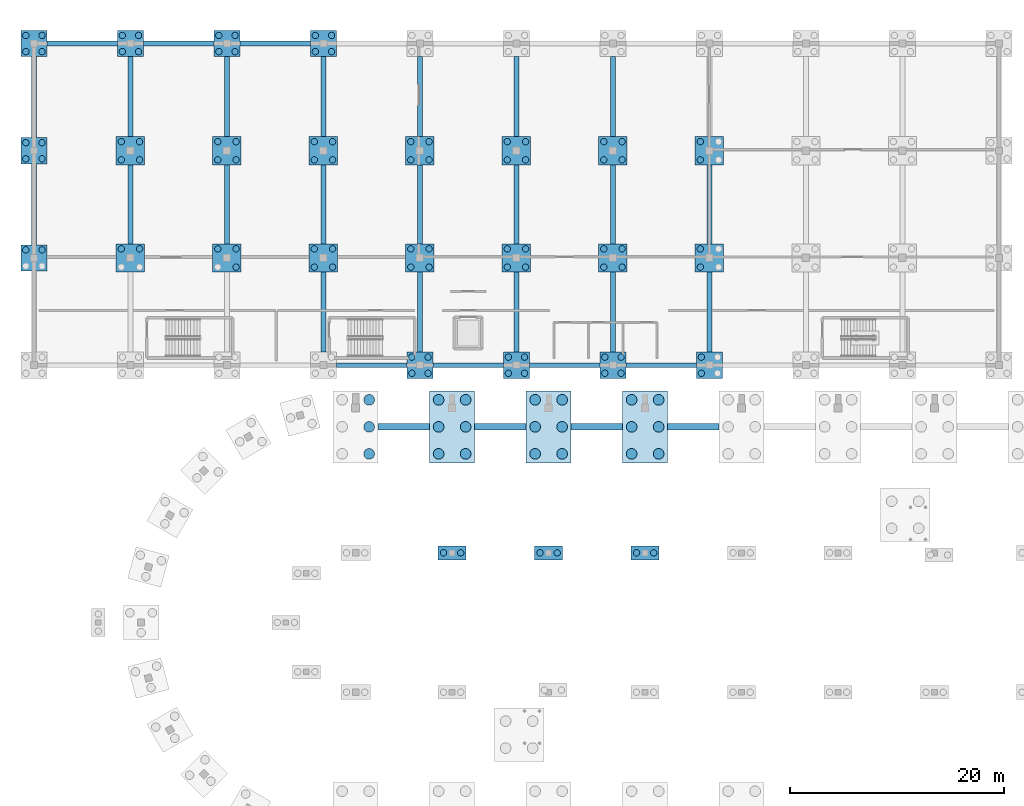
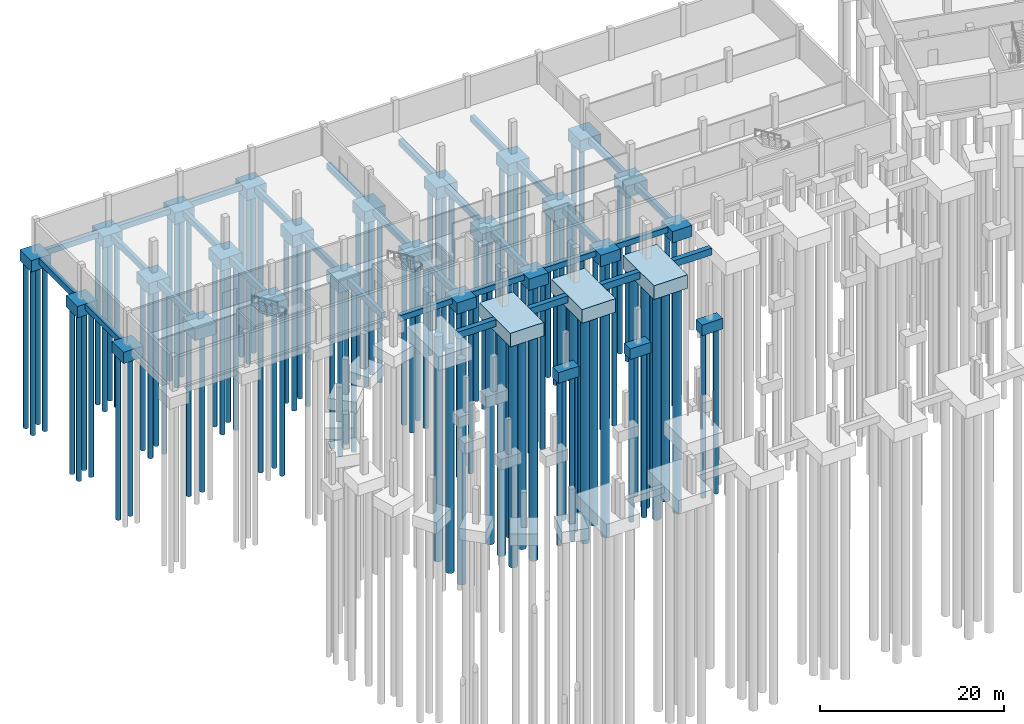
# One storey, part 3 of 36: 112 piles, 61 footings.
"""IFC4 building model written with IfcOpenShell, lengths in metres."""

import ifcopenshell
import ifcopenshell.guid

model = None  # the IFC model being written
_history = None  # IfcOwnerHistory: only IFC2X3 demands one
_inside = {}  # id of a spatial element -> (the spatial element, [elements in it])
_under = {}  # id of a project, library or spatial element -> (it, [spatial elements below it])
_declared = {}  # id of a project -> (the project, [libraries it declares])
_typed = {}  # id of a type object -> (the type object, [elements of that type])
_made_of = {}  # id of a material, layer set ... -> (it, [elements and type objects made of it])


def new_model(schema):
    """Start an empty IFC model of exactly this schema.

    Asked for "IFC4X3", IfcOpenShell would pick the latest addendum, in which some entities
    have other attributes; the version numbers below select the first issue.
    IFC2X3 requires an IfcOwnerHistory on every rooted entity: one is made here for all.
    """
    global model, _history
    if schema == "IFC4X3":
        model = ifcopenshell.file(schema_version=(4, 3, 0, 0))
    else:
        model = ifcopenshell.file(schema=schema)
    _inside.clear()
    _under.clear()
    _declared.clear()
    _typed.clear()
    _made_of.clear()
    _history = None
    if model.schema == "IFC2X3":
        org = make("IfcOrganization", Name="unknown")
        user = make(
            "IfcPersonAndOrganization",
            ThePerson=make("IfcPerson", FamilyName="unknown"),
            TheOrganization=org,
        )
        app = make(
            "IfcApplication",
            ApplicationDeveloper=org,
            Version="unknown",
            ApplicationFullName="unknown",
            ApplicationIdentifier="unknown",
        )
        _history = make(
            "IfcOwnerHistory",
            OwningUser=user,
            OwningApplication=app,
            ChangeAction="ADDED",
            CreationDate=0,
        )
    return model


def make(cls, **values):
    """One entity of the class cls with the attributes given. An attribute that is None is left unset."""
    return model.create_entity(
        cls, **{name: value for name, value in values.items() if value is not None}
    )


def rooted(cls, **values):
    """An entity with a GlobalId (a new one), such as an element, a storey or a relation."""
    return make(cls, GlobalId=ifcopenshell.guid.new(), OwnerHistory=_history, **values)


def si_unit(unit_type, name, prefix=None):
    """IfcSIUnit, for example si_unit("LENGTHUNIT", "METRE", prefix="MILLI")."""
    return make("IfcSIUnit", UnitType=unit_type, Prefix=prefix, Name=name)


def derived_unit(unit_type, elements):
    """IfcDerivedUnit: a product of units, each with its exponent."""
    return make(
        "IfcDerivedUnit",
        Elements=[
            make("IfcDerivedUnitElement", Unit=unit, Exponent=power)
            for unit, power in elements
        ],
        UnitType=unit_type,
    )


def assignment(units):
    """IfcUnitAssignment: the units of a project."""
    return None if units is None else make("IfcUnitAssignment", Units=units)


def point(xyz):
    """IfcCartesianPoint."""
    return None if xyz is None else make("IfcCartesianPoint", Coordinates=xyz)


def direction(xyz):
    """IfcDirection."""
    return None if xyz is None else make("IfcDirection", DirectionRatios=xyz)


def frame(location, z_axis=None, x_axis=None):
    """IfcAxis2Placement3D, a coordinate frame: its origin and axes. An axis left out is left unset."""
    return make(
        "IfcAxis2Placement3D",
        Location=point(location),
        Axis=direction(z_axis),
        RefDirection=direction(x_axis),
    )


def frame_2d(location, x_axis=None):
    """IfcAxis2Placement2D, a coordinate frame in the plane: its origin and x axis."""
    return make(
        "IfcAxis2Placement2D", Location=point(location), RefDirection=direction(x_axis)
    )


def origin():
    """The frame at (0, 0, 0) with its axes left unset."""
    return frame((0.0, 0.0, 0.0))


def origin_2d():
    """The frame at (0, 0) in the plane with its x axis left unset."""
    return frame_2d((0.0, 0.0))


def place(relative_to, where):
    """IfcLocalPlacement: puts the frame where relative to a parent placement (None: the world)."""
    return make(
        "IfcLocalPlacement", PlacementRelTo=relative_to, RelativePlacement=where
    )


def context(
    kind, dimensions, precision=None, world=None, true_north=None, identifier=None
):
    """IfcGeometricRepresentationContext, for example the 3D "Model" context."""
    return make(
        "IfcGeometricRepresentationContext",
        ContextIdentifier=identifier,
        ContextType=kind,
        CoordinateSpaceDimension=dimensions,
        Precision=precision,
        WorldCoordinateSystem=world,
        TrueNorth=true_north,
    )


def subcontext(parent, identifier, kind, view, scale=None):
    """IfcGeometricRepresentationSubContext, for example "Body" below "Model"."""
    return make(
        "IfcGeometricRepresentationSubContext",
        ContextIdentifier=identifier,
        ContextType=kind,
        ParentContext=parent,
        TargetScale=scale,
        TargetView=view,
    )


def project(units=None, contexts=None):
    """IfcProject with its units and contexts."""
    return rooted(
        "IfcProject",
        Name="project",
        RepresentationContexts=contexts,
        UnitsInContext=assignment(units),
    )


def spatial(cls, under=None, at=None, **own):
    """A site, building, storey or space (cls), placed at a placement, below another one or the project."""
    s = rooted(cls, ObjectPlacement=at, **own)
    if under is not None:
        _under.setdefault(under.id(), (under, []))[1].append(s)
    return s


def profile(cls, at=None, kind="AREA", **sizes):
    """A parametric profile (cls). Its sizes go by their IFC names, for example OverallWidth=200.0."""
    return make(cls, ProfileType=kind, Position=at, **sizes)


def rectangle(**sizes):
    """IfcRectangleProfileDef."""
    return profile("IfcRectangleProfileDef", **sizes)


def circle(**sizes):
    """IfcCircleProfileDef."""
    return profile("IfcCircleProfileDef", **sizes)


def extrude(swept, where, along, depth):
    """IfcExtrudedAreaSolid: the profile swept, set in the frame where, extruded along a direction by depth."""
    return make(
        "IfcExtrudedAreaSolid",
        SweptArea=swept,
        Position=where,
        ExtrudedDirection=direction(along),
        Depth=depth,
    )


def shape(context_of_items, identifier, shape_type, items):
    """IfcShapeRepresentation: the items that make up one representation, for example the "Body"."""
    return make(
        "IfcShapeRepresentation",
        ContextOfItems=context_of_items,
        RepresentationIdentifier=identifier,
        RepresentationType=shape_type,
        Items=items,
    )


def material(Name=None, Category=None):
    """IfcMaterial."""
    return make("IfcMaterial", Name=Name, Category=Category)


def material_profile(
    of_material, cross_section, Name=None, Category=None, Priority=None
):
    """IfcMaterialProfile: a cross section and its material."""
    return make(
        "IfcMaterialProfile",
        Name=Name,
        Material=of_material,
        Profile=cross_section,
        Priority=Priority,
        Category=Category,
    )


def profile_set(profiles, Name=None, composite=None):
    """IfcMaterialProfileSet."""
    return make(
        "IfcMaterialProfileSet",
        Name=Name,
        MaterialProfiles=profiles,
        CompositeProfile=composite,
    )


def made_of(thing, what):
    """Note that an element or type object is made of a material, layer set ...; save() writes the relation."""
    if what is not None:
        _made_of.setdefault(what.id(), (what, []))[1].append(thing)
    return thing


def type_object(cls, material=None, **own):
    """A type object (cls), such as IfcWallType, which elements share."""
    return made_of(rooted(cls, **own), material)


def element(
    cls,
    number,
    at=None,
    inside=None,
    cuts=None,
    type_object=None,
    material=None,
    context=None,
    identifier="Body",
    shape_type=None,
    held_by="IfcProductDefinitionShape",
    body=None,
    shapes=None,
    **own,
):
    """One element of the class cls, such as IfcWall. Its Tag is "e" and its number.

    at: its placement. inside: the storey or other place that contains it. cuts: it is an
    opening in that element (IfcRelVoidsElement). A single representation is given by context,
    identifier, shape_type and body (its items); several are given by shapes. held_by: the class
    of the entity that holds the representations. save() writes the other relations.
    """
    e = rooted(cls, Tag="e%d" % number, ObjectPlacement=at, **own)
    if body is not None:
        shapes = [shape(context, identifier, shape_type, body)]
    if shapes is not None:
        e.Representation = make(held_by, Representations=shapes)
    if inside is not None:
        _inside.setdefault(inside.id(), (inside, []))[1].append(e)
    if cuts is not None:
        rooted(
            "IfcRelVoidsElement", RelatingBuildingElement=cuts, RelatedOpeningElement=e
        )
    if type_object is not None:
        _typed.setdefault(type_object.id(), (type_object, []))[1].append(e)
    return made_of(e, material)


def aggregate(whole, parts):
    """IfcRelAggregates: a whole, such as a stair, and the parts it consists of."""
    return rooted("IfcRelAggregates", RelatingObject=whole, RelatedObjects=parts)


def save(model, path):
    """Write the relations noted so far, then the file.

    IfcRelAggregates (storeys below a building ...), IfcRelContainedInSpatialStructure (elements
    in a storey), IfcRelDefinesByType, IfcRelAssociatesMaterial and IfcRelDeclares: one each for
    every whole, place, type object, material and project.
    """
    for whole, parts in _under.values():
        aggregate(whole, parts)
    for where, things in _inside.values():
        rooted(
            "IfcRelContainedInSpatialStructure",
            RelatedElements=things,
            RelatingStructure=where,
        )
    for kind, things in _typed.values():
        rooted("IfcRelDefinesByType", RelatedObjects=things, RelatingType=kind)
    for what, things in _made_of.values():
        rooted("IfcRelAssociatesMaterial", RelatedObjects=things, RelatingMaterial=what)
    for by, libraries in _declared.values():
        rooted("IfcRelDeclares", RelatingContext=by, RelatedDefinitions=libraries)
    model.write(path)


model = new_model("IFC4")

# Units and contexts
model_context = context("Model", 3, precision=1e-05, world=origin(), true_north=direction((0.0, 1.0)))
body_context = subcontext(model_context, "Body", "Model", "MODEL_VIEW")
ifc_project = project(units=[si_unit("LENGTHUNIT", "METRE"), si_unit("AREAUNIT", "SQUARE_METRE"), si_unit("VOLUMEUNIT", "CUBIC_METRE"), si_unit("PLANEANGLEUNIT", "RADIAN"), si_unit("MASSUNIT", "GRAM", prefix="KILO"), si_unit("THERMODYNAMICTEMPERATUREUNIT", "KELVIN"), si_unit("TIMEUNIT", "SECOND"), derived_unit("THERMALTRANSMITTANCEUNIT", [(si_unit("MASSUNIT", "GRAM", prefix="KILO"), 1), (si_unit("THERMODYNAMICTEMPERATUREUNIT", "KELVIN"), -1), (si_unit("TIMEUNIT", "SECOND"), -3)])], contexts=[model_context])

# Site, building, storey
site_placement = place(None, origin())
site = spatial("IfcSite", under=ifc_project, at=site_placement, CompositionType="ELEMENT")
building_placement = place(site_placement, origin())
building = spatial("IfcBuilding", under=site, at=building_placement, Name="Cambertide Market Hall", CompositionType="ELEMENT")
storey_placement = place(building_placement, frame((0.0, 0.0, -4.199951171875)))
storey = spatial("IfcBuildingStorey", under=building, at=storey_placement, Name="B1", CompositionType="ELEMENT", Elevation=-4.199951171875)

# Piles
ifc_material_1 = material(Name="Concrete B35", Category="concrete")
ifc_material_profile_1 = material_profile(ifc_material_1, circle(Radius=0.5, at=origin_2d()), Name="BP D1000")
ifc_profile_set_1 = profile_set([ifc_material_profile_1], Name="Concrete B35")
pile_type_1 = type_object("IfcPileType", Name="Bored Pile BP-1000", PredefinedType="BORED", material=ifc_profile_set_1)
for number, where, z_axis, x_axis, name in (
    (1, (43.260009765625, 87.72998046875, -2.10009765625), (0.0, 0.0, -1.0), (1.0, 0.0, 0.0), "Basement 1 Bored Pile V1-N1-2"),
    (2, (43.260009765625, 90.25, -2.10009765625), (0.0, 0.0, -1.0), (1.0, 0.0, 0.0), "Basement 1 Bored Pile V1-N1-4"),
    (3, (43.260009765625, 92.77001953125, -2.10009765625), (0.0, 0.0, -1.0), (1.0, 0.0, 0.0), "Basement 1 Bored Pile V1-N1-6"),
    (4, (49.739990234375, 87.72998046875, -2.10009765625), (0.0, 0.0, -1.0), (1.0, 0.0, 0.0), "Basement 1 Bored Pile V1-N2-1"),
    (5, (52.260009765625, 87.72998046875, -2.10009765625), (0.0, 0.0, -1.0), (1.0, 0.0, 0.0), "Basement 1 Bored Pile V1-N2-2"),
    (6, (49.739990234375, 90.25, -2.10009765625), (0.0, 0.0, -1.0), (1.0, 0.0, 0.0), "Basement 1 Bored Pile V1-N2-3"),
    (7, (52.260009765625, 90.25, -2.10009765625), (0.0, 0.0, -1.0), (1.0, 0.0, 0.0), "Basement 1 Bored Pile V1-N2-4"),
    (8, (49.739990234375, 92.77001953125, -2.10009765625), (0.0, 0.0, -1.0), (1.0, 0.0, 0.0), "Basement 1 Bored Pile V1-N2-5"),
    (9, (52.260009765625, 92.77001953125, -2.10009765625), (0.0, 0.0, -1.0), (1.0, 0.0, 0.0), "Basement 1 Bored Pile V1-N2-6"),
    (10, (58.739990234375, 87.72998046875, -2.10009765625), (0.0, 0.0, -1.0), (1.0, 0.0, 0.0), "Basement 1 Bored Pile V1-N3-1"),
    (11, (61.260009765625, 87.72998046875, -2.10009765625), (0.0, 0.0, -1.0), (1.0, 0.0, 0.0), "Basement 1 Bored Pile V1-N3-2"),
    (12, (58.739990234375, 90.25, -2.10009765625), (0.0, 0.0, -1.0), (1.0, 0.0, 0.0), "Basement 1 Bored Pile V1-N3-3"),
    (13, (61.260009765625, 90.25, -2.10009765625), (0.0, 0.0, -1.0), (1.0, 0.0, 0.0), "Basement 1 Bored Pile V1-N3-4"),
    (14, (58.739990234375, 92.77001953125, -2.10009765625), (0.0, 0.0, -1.0), (1.0, 0.0, 0.0), "Basement 1 Bored Pile V1-N3-5"),
    (15, (61.260009765625, 92.77001953125, -2.10009765625), (0.0, 0.0, -1.0), (1.0, 0.0, 0.0), "Basement 1 Bored Pile V1-N3-6"),
    (16, (67.739990234375, 87.72998046875, -2.10009765625), (0.0, 0.0, -1.0), (1.0, 0.0, 0.0), "Basement 1 Bored Pile V1-N4-1"),
    (17, (70.260009765625, 87.72998046875, -2.10009765625), (0.0, 0.0, -1.0), (1.0, 0.0, 0.0), "Basement 1 Bored Pile V1-N4-2"),
    (18, (67.739990234375, 90.25, -2.10009765625), (0.0, 0.0, -1.0), (1.0, 0.0, 0.0), "Basement 1 Bored Pile V1-N4-3"),
    (19, (70.260009765625, 90.25, -2.10009765625), (0.0, 0.0, -1.0), (1.0, 0.0, 0.0), "Basement 1 Bored Pile V1-N4-4"),
    (20, (67.739990234375, 92.77001953125, -2.10009765625), (0.0, 0.0, -1.0), (1.0, 0.0, 0.0), "Basement 1 Bored Pile V1-N4-5"),
    (21, (70.260009765625, 92.77001953125, -2.10009765625), (0.0, 0.0, -1.0), (1.0, 0.0, 0.0), "Basement 1 Bored Pile V1-N4-6"),
):
    element("IfcPile", number, at=place(storey_placement, frame(where, z_axis=z_axis, x_axis=x_axis)), inside=storey, type_object=pile_type_1, Name=name, PredefinedType="BORED", context=body_context, shape_type="SweptSolid", body=[
        extrude(circle(Radius=0.5, at=origin_2d()), origin(), (0.0, 0.0, 1.0), 29.800048828125),
    ])
ifc_material_2 = material(Name="Concrete B35", Category="concrete")
ifc_material_profile_2 = material_profile(ifc_material_2, circle(Radius=0.300048828125, at=origin_2d()), Name="BP D600")
ifc_profile_set_2 = profile_set([ifc_material_profile_2], Name="Concrete B35")
pile_type_2 = type_object("IfcPileType", Name="Bored Pile BP-600", PredefinedType="BORED", material=ifc_profile_set_2)
for number, where, z_axis, x_axis, name in (
    (22, (50.199951171875, 78.5, -1.699951171875), (0.0, 0.0, -1.0), (1.0, 0.0, 0.0), "Basement 1 Bored Pile V1-MN2-1"),
    (23, (51.800048828125, 78.5, -1.699951171875), (0.0, 0.0, -1.0), (1.0, 0.0, 0.0), "Basement 1 Bored Pile V1-MN2-2"),
    (24, (59.199951171875, 78.5, -1.699951171875), (0.0, 0.0, -1.0), (1.0, 0.0, 0.0), "Basement 1 Bored Pile V1-MN3-1"),
    (25, (60.800048828125, 78.5, -1.699951171875), (0.0, 0.0, -1.0), (1.0, 0.0, 0.0), "Basement 1 Bored Pile V1-MN3-2"),
    (26, (68.199951171875, 78.5, -1.699951171875), (0.0, 0.0, -1.0), (1.0, 0.0, 0.0), "Basement 1 Bored Pile V1-MN4-1"),
    (27, (69.800048828125, 78.5, -1.699951171875), (0.0, 0.0, -1.0), (1.0, 0.0, 0.0), "Basement 1 Bored Pile V1-MN4-2"),
    (28, (11.2451171875, 106.7548828125, -1.800048828125), (0.0, 0.0, -1.0), (1.0, 0.0, 0.0), "Basement 1 Bored Pile V2-1-2-3"),
    (29, (12.7548828125, 106.7548828125, -1.800048828125), (0.0, 0.0, -1.0), (1.0, 0.0, 0.0), "Basement 1 Bored Pile V2-1-2-4"),
    (30, (11.2451171875, 115.2451171875, -1.800048828125), (0.0, 0.0, -1.0), (1.0, 0.0, 0.0), "Basement 1 Bored Pile V2-1-3-1"),
    (31, (12.7548828125, 115.2451171875, -1.800048828125), (0.0, 0.0, -1.0), (1.0, 0.0, 0.0), "Basement 1 Bored Pile V2-1-3-2"),
    (32, (11.2451171875, 116.7548828125, -1.800048828125), (0.0, 0.0, -1.0), (1.0, 0.0, 0.0), "Basement 1 Bored Pile V2-1-3-3"),
    (33, (12.7548828125, 116.7548828125, -1.800048828125), (0.0, 0.0, -1.0), (1.0, 0.0, 0.0), "Basement 1 Bored Pile V2-1-3-4"),
    (34, (11.2451171875, 125.2451171875, -1.800048828125), (0.0, 0.0, -1.0), (1.0, 0.0, 0.0), "Basement 1 Bored Pile V2-1-4-1"),
    (35, (12.7548828125, 125.2451171875, -1.800048828125), (0.0, 0.0, -1.0), (1.0, 0.0, 0.0), "Basement 1 Bored Pile V2-1-4-2"),
    (36, (11.2451171875, 126.7548828125, -1.800048828125), (0.0, 0.0, -1.0), (1.0, 0.0, 0.0), "Basement 1 Bored Pile V2-1-4-3"),
    (37, (12.7548828125, 126.7548828125, -1.800048828125), (0.0, 0.0, -1.0), (1.0, 0.0, 0.0), "Basement 1 Bored Pile V2-1-4-4"),
    (38, (20.14990234375, 106.85009765625, -1.85009765625), (0.0, 0.0, -1.0), (1.0, 0.0, 0.0), "Basement 1 Bored Pile V2-2-2-3"),
    (39, (21.85009765625, 106.85009765625, -1.85009765625), (0.0, 0.0, -1.0), (1.0, 0.0, 0.0), "Basement 1 Bored Pile V2-2-2-4"),
    (40, (20.14990234375, 115.14990234375, -1.85009765625), (0.0, 0.0, -1.0), (1.0, 0.0, 0.0), "Basement 1 Bored Pile V2-2-3-1"),
    (41, (21.85009765625, 115.14990234375, -1.85009765625), (0.0, 0.0, -1.0), (1.0, 0.0, 0.0), "Basement 1 Bored Pile V2-2-3-2"),
    (42, (20.14990234375, 116.85009765625, -1.85009765625), (0.0, 0.0, -1.0), (1.0, 0.0, 0.0), "Basement 1 Bored Pile V2-2-3-3"),
    (43, (21.85009765625, 116.85009765625, -1.85009765625), (0.0, 0.0, -1.0), (1.0, 0.0, 0.0), "Basement 1 Bored Pile V2-2-3-4"),
    (44, (20.2451171875, 125.2451171875, -1.800048828125), (0.0, 0.0, -1.0), (1.0, 0.0, 0.0), "Basement 1 Bored Pile V2-2-4-1"),
    (45, (21.7548828125, 125.2451171875, -1.800048828125), (0.0, 0.0, -1.0), (1.0, 0.0, 0.0), "Basement 1 Bored Pile V2-2-4-2"),
    (46, (20.2451171875, 126.7548828125, -1.800048828125), (0.0, 0.0, -1.0), (1.0, 0.0, 0.0), "Basement 1 Bored Pile V2-2-4-3"),
    (47, (21.7548828125, 126.7548828125, -1.800048828125), (0.0, 0.0, -1.0), (1.0, 0.0, 0.0), "Basement 1 Bored Pile V2-2-4-4"),
    (48, (30.85009765625, 105.14990234375, -1.85009765625), (0.0, 0.0, -1.0), (1.0, 0.0, 0.0), "Basement 1 Bored Pile V2-3-2-2"),
    (49, (29.14990234375, 106.85009765625, -1.85009765625), (0.0, 0.0, -1.0), (1.0, 0.0, 0.0), "Basement 1 Bored Pile V2-3-2-3"),
    (50, (30.85009765625, 106.85009765625, -1.85009765625), (0.0, 0.0, -1.0), (1.0, 0.0, 0.0), "Basement 1 Bored Pile V2-3-2-4"),
    (51, (29.14990234375, 115.14990234375, -1.85009765625), (0.0, 0.0, -1.0), (1.0, 0.0, 0.0), "Basement 1 Bored Pile V2-3-3-1"),
    (52, (30.85009765625, 115.14990234375, -1.85009765625), (0.0, 0.0, -1.0), (1.0, 0.0, 0.0), "Basement 1 Bored Pile V2-3-3-2"),
    (53, (29.14990234375, 116.85009765625, -1.85009765625), (0.0, 0.0, -1.0), (1.0, 0.0, 0.0), "Basement 1 Bored Pile V2-3-3-3"),
    (54, (30.85009765625, 116.85009765625, -1.85009765625), (0.0, 0.0, -1.0), (1.0, 0.0, 0.0), "Basement 1 Bored Pile V2-3-3-4"),
    (55, (29.2451171875, 125.2451171875, -1.800048828125), (0.0, 0.0, -1.0), (1.0, 0.0, 0.0), "Basement 1 Bored Pile V2-3-4-1"),
    (56, (30.7548828125, 125.2451171875, -1.800048828125), (0.0, 0.0, -1.0), (1.0, 0.0, 0.0), "Basement 1 Bored Pile V2-3-4-2"),
    (57, (29.2451171875, 126.7548828125, -1.800048828125), (0.0, 0.0, -1.0), (1.0, 0.0, 0.0), "Basement 1 Bored Pile V2-3-4-3"),
    (58, (30.7548828125, 126.7548828125, -1.800048828125), (0.0, 0.0, -1.0), (1.0, 0.0, 0.0), "Basement 1 Bored Pile V2-3-4-4"),
    (59, (38.14990234375, 105.14990234375, -1.85009765625), (0.0, 0.0, -1.0), (1.0, 0.0, 0.0), "Basement 1 Bored Pile V2-4-2-1"),
    (60, (39.85009765625, 105.14990234375, -1.85009765625), (0.0, 0.0, -1.0), (1.0, 0.0, 0.0), "Basement 1 Bored Pile V2-4-2-2"),
    (61, (38.14990234375, 106.85009765625, -1.85009765625), (0.0, 0.0, -1.0), (1.0, 0.0, 0.0), "Basement 1 Bored Pile V2-4-2-3"),
    (62, (39.85009765625, 106.85009765625, -1.85009765625), (0.0, 0.0, -1.0), (1.0, 0.0, 0.0), "Basement 1 Bored Pile V2-4-2-4"),
    (63, (38.14990234375, 115.14990234375, -1.85009765625), (0.0, 0.0, -1.0), (1.0, 0.0, 0.0), "Basement 1 Bored Pile V2-4-3-1"),
    (64, (39.85009765625, 115.14990234375, -1.85009765625), (0.0, 0.0, -1.0), (1.0, 0.0, 0.0), "Basement 1 Bored Pile V2-4-3-2"),
    (65, (38.14990234375, 116.85009765625, -1.85009765625), (0.0, 0.0, -1.0), (1.0, 0.0, 0.0), "Basement 1 Bored Pile V2-4-3-3"),
    (66, (39.85009765625, 116.85009765625, -1.85009765625), (0.0, 0.0, -1.0), (1.0, 0.0, 0.0), "Basement 1 Bored Pile V2-4-3-4"),
    (67, (38.2451171875, 125.2451171875, -1.800048828125), (0.0, 0.0, -1.0), (1.0, 0.0, 0.0), "Basement 1 Bored Pile V2-4-4-1"),
    (68, (39.7548828125, 125.2451171875, -1.800048828125), (0.0, 0.0, -1.0), (1.0, 0.0, 0.0), "Basement 1 Bored Pile V2-4-4-2"),
    (69, (38.2451171875, 126.7548828125, -1.800048828125), (0.0, 0.0, -1.0), (1.0, 0.0, 0.0), "Basement 1 Bored Pile V2-4-4-3"),
    (70, (39.7548828125, 126.7548828125, -1.800048828125), (0.0, 0.0, -1.0), (1.0, 0.0, 0.0), "Basement 1 Bored Pile V2-4-4-4"),
    (71, (47.2451171875, 95.2451171875, -1.800048828125), (0.0, 0.0, -1.0), (1.0, 0.0, 0.0), "Basement 1 Bored Pile V2-5-1-1"),
    (72, (48.7548828125, 95.2451171875, -1.800048828125), (0.0, 0.0, -1.0), (1.0, 0.0, 0.0), "Basement 1 Bored Pile V2-5-1-2"),
    (73, (47.2451171875, 96.7548828125, -1.800048828125), (0.0, 0.0, -1.0), (1.0, 0.0, 0.0), "Basement 1 Bored Pile V2-5-1-3"),
    (74, (48.7548828125, 96.7548828125, -1.800048828125), (0.0, 0.0, -1.0), (1.0, 0.0, 0.0), "Basement 1 Bored Pile V2-5-1-4"),
    (75, (47.14990234375, 105.14990234375, -1.85009765625), (0.0, 0.0, -1.0), (1.0, 0.0, 0.0), "Basement 1 Bored Pile V2-5-2-1"),
    (76, (48.85009765625, 105.14990234375, -1.85009765625), (0.0, 0.0, -1.0), (1.0, 0.0, 0.0), "Basement 1 Bored Pile V2-5-2-2"),
    (77, (47.14990234375, 106.85009765625, -1.85009765625), (0.0, 0.0, -1.0), (1.0, 0.0, 0.0), "Basement 1 Bored Pile V2-5-2-3"),
    (78, (48.85009765625, 106.85009765625, -1.85009765625), (0.0, 0.0, -1.0), (1.0, 0.0, 0.0), "Basement 1 Bored Pile V2-5-2-4"),
    (79, (47.14990234375, 115.14990234375, -1.85009765625), (0.0, 0.0, -1.0), (1.0, 0.0, 0.0), "Basement 1 Bored Pile V2-5-3-1"),
    (80, (48.85009765625, 115.14990234375, -1.85009765625), (0.0, 0.0, -1.0), (1.0, 0.0, 0.0), "Basement 1 Bored Pile V2-5-3-2"),
    (81, (47.14990234375, 116.85009765625, -1.85009765625), (0.0, 0.0, -1.0), (1.0, 0.0, 0.0), "Basement 1 Bored Pile V2-5-3-3"),
    (82, (48.85009765625, 116.85009765625, -1.85009765625), (0.0, 0.0, -1.0), (1.0, 0.0, 0.0), "Basement 1 Bored Pile V2-5-3-4"),
    (83, (56.2451171875, 95.2451171875, -1.800048828125), (0.0, 0.0, -1.0), (1.0, 0.0, 0.0), "Basement 1 Bored Pile V2-6-1-1"),
    (84, (57.7548828125, 95.2451171875, -1.800048828125), (0.0, 0.0, -1.0), (1.0, 0.0, 0.0), "Basement 1 Bored Pile V2-6-1-2"),
    (85, (56.2451171875, 96.7548828125, -1.800048828125), (0.0, 0.0, -1.0), (1.0, 0.0, 0.0), "Basement 1 Bored Pile V2-6-1-3"),
    (86, (57.7548828125, 96.7548828125, -1.800048828125), (0.0, 0.0, -1.0), (1.0, 0.0, 0.0), "Basement 1 Bored Pile V2-6-1-4"),
    (87, (56.14990234375, 105.14990234375, -1.85009765625), (0.0, 0.0, -1.0), (1.0, 0.0, 0.0), "Basement 1 Bored Pile V2-6-2-1"),
    (88, (57.85009765625, 105.14990234375, -1.85009765625), (0.0, 0.0, -1.0), (1.0, 0.0, 0.0), "Basement 1 Bored Pile V2-6-2-2"),
    (89, (56.14990234375, 106.85009765625, -1.85009765625), (0.0, 0.0, -1.0), (1.0, 0.0, 0.0), "Basement 1 Bored Pile V2-6-2-3"),
    (90, (57.85009765625, 106.85009765625, -1.85009765625), (0.0, 0.0, -1.0), (1.0, 0.0, 0.0), "Basement 1 Bored Pile V2-6-2-4"),
    (91, (56.14990234375, 115.14990234375, -1.85009765625), (0.0, 0.0, -1.0), (1.0, 0.0, 0.0), "Basement 1 Bored Pile V2-6-3-1"),
    (92, (57.85009765625, 115.14990234375, -1.85009765625), (0.0, 0.0, -1.0), (1.0, 0.0, 0.0), "Basement 1 Bored Pile V2-6-3-2"),
    (93, (56.14990234375, 116.85009765625, -1.85009765625), (0.0, 0.0, -1.0), (1.0, 0.0, 0.0), "Basement 1 Bored Pile V2-6-3-3"),
    (94, (57.85009765625, 116.85009765625, -1.85009765625), (0.0, 0.0, -1.0), (1.0, 0.0, 0.0), "Basement 1 Bored Pile V2-6-3-4"),
    (95, (65.2451171875, 95.2451171875, -1.800048828125), (0.0, 0.0, -1.0), (1.0, 0.0, 0.0), "Basement 1 Bored Pile V2-7-1-1"),
    (96, (66.7548828125, 95.2451171875, -1.800048828125), (0.0, 0.0, -1.0), (1.0, 0.0, 0.0), "Basement 1 Bored Pile V2-7-1-2"),
    (97, (65.2451171875, 96.7548828125, -1.800048828125), (0.0, 0.0, -1.0), (1.0, 0.0, 0.0), "Basement 1 Bored Pile V2-7-1-3"),
    (98, (66.7548828125, 96.7548828125, -1.800048828125), (0.0, 0.0, -1.0), (1.0, 0.0, 0.0), "Basement 1 Bored Pile V2-7-1-4"),
    (99, (65.14990234375, 105.14990234375, -1.85009765625), (0.0, 0.0, -1.0), (1.0, 0.0, 0.0), "Basement 1 Bored Pile V2-7-2-1"),
    (100, (66.85009765625, 105.14990234375, -1.85009765625), (0.0, 0.0, -1.0), (1.0, 0.0, 0.0), "Basement 1 Bored Pile V2-7-2-2"),
    (101, (65.14990234375, 106.85009765625, -1.85009765625), (0.0, 0.0, -1.0), (1.0, 0.0, 0.0), "Basement 1 Bored Pile V2-7-2-3"),
    (102, (66.85009765625, 106.85009765625, -1.85009765625), (0.0, 0.0, -1.0), (1.0, 0.0, 0.0), "Basement 1 Bored Pile V2-7-2-4"),
    (103, (65.14990234375, 115.14990234375, -1.85009765625), (0.0, 0.0, -1.0), (1.0, 0.0, 0.0), "Basement 1 Bored Pile V2-7-3-1"),
    (104, (66.85009765625, 115.14990234375, -1.85009765625), (0.0, 0.0, -1.0), (1.0, 0.0, 0.0), "Basement 1 Bored Pile V2-7-3-2"),
    (105, (65.14990234375, 116.85009765625, -1.85009765625), (0.0, 0.0, -1.0), (1.0, 0.0, 0.0), "Basement 1 Bored Pile V2-7-3-3"),
    (106, (66.85009765625, 116.85009765625, -1.85009765625), (0.0, 0.0, -1.0), (1.0, 0.0, 0.0), "Basement 1 Bored Pile V2-7-3-4"),
    (107, (74.2451171875, 95.2451171875, -1.800048828125), (0.0, 0.0, -1.0), (1.0, 0.0, 0.0), "Basement 1 Bored Pile V2-8-1-1"),
    (108, (74.2451171875, 96.7548828125, -1.800048828125), (0.0, 0.0, -1.0), (1.0, 0.0, 0.0), "Basement 1 Bored Pile V2-8-1-3"),
    (109, (74.14990234375, 105.14990234375, -1.85009765625), (0.0, 0.0, -1.0), (1.0, 0.0, 0.0), "Basement 1 Bored Pile V2-8-2-1"),
    (110, (74.14990234375, 106.85009765625, -1.85009765625), (0.0, 0.0, -1.0), (1.0, 0.0, 0.0), "Basement 1 Bored Pile V2-8-2-3"),
    (111, (74.14990234375, 115.14990234375, -1.85009765625), (0.0, 0.0, -1.0), (1.0, 0.0, 0.0), "Basement 1 Bored Pile V2-8-3-1"),
    (112, (74.14990234375, 116.85009765625, -1.85009765625), (0.0, 0.0, -1.0), (1.0, 0.0, 0.0), "Basement 1 Bored Pile V2-8-3-3"),
):
    element("IfcPile", number, at=place(storey_placement, frame(where, z_axis=z_axis, x_axis=x_axis)), inside=storey, type_object=pile_type_2, Name=name, PredefinedType="BORED", context=body_context, shape_type="SweptSolid", body=[
        extrude(circle(Radius=0.300048828125, at=origin_2d()), origin(), (0.0, 0.0, 1.0), 22.0),
    ])

# Footings
ifc_material_3 = material(Name="Concrete B35", Category="concrete")
footing_type_1 = type_object("IfcFootingType", Name="Concrete Pile Cap PC-02", PredefinedType="PILE_CAP", material=ifc_material_3)
for number, where, z_axis, x_axis, name in (
    (113, (51.0, 78.5, -1.800048828125), (0.0, 0.0, 1.0), (1.0, 0.0, 0.0), "Basement 1 Pile Cap V1-MN2"),
    (114, (60.0, 78.5, -1.800048828125), (0.0, 0.0, 1.0), (1.0, 0.0, 0.0), "Basement 1 Pile Cap V1-MN3"),
    (115, (69.0, 78.5, -1.800048828125), (0.0, 0.0, 1.0), (1.0, 0.0, 0.0), "Basement 1 Pile Cap V1-MN4"),
):
    element("IfcFooting", number, at=place(storey_placement, frame(where, z_axis=z_axis, x_axis=x_axis)), inside=storey, type_object=footing_type_1, Name=name, PredefinedType="PILE_CAP", context=body_context, shape_type="SweptSolid", body=[
        extrude(rectangle(XDim=2.60009765625, YDim=1.300048828125, at=origin_2d()), origin(), (0.0, 0.0, 1.0), 1.39990234375),
    ])
ifc_material_4 = material(Name="Concrete B35", Category="concrete")
footing_type_2 = type_object("IfcFootingType", Name="Concrete Pile Cap PC-04A", PredefinedType="PILE_CAP", material=ifc_material_4)
for number, where, z_axis, x_axis, name in (
    (116, (12.0, 106.0, -1.900146484375), (0.0, 0.0, 1.0), (1.0, 0.0, 0.0), "Basement 1 Pile Cap V2-1-2"),
    (117, (12.0, 116.0, -1.900146484375), (0.0, 0.0, 1.0), (1.0, 0.0, 0.0), "Basement 1 Pile Cap V2-1-3"),
    (118, (12.0, 126.0, -1.900146484375), (0.0, 0.0, 1.0), (1.0, 0.0, 0.0), "Basement 1 Pile Cap V2-1-4"),
    (119, (21.0, 126.0, -1.900146484375), (0.0, 0.0, 1.0), (1.0, 0.0, 0.0), "Basement 1 Pile Cap V2-2-4"),
    (120, (30.0, 126.0, -1.900146484375), (0.0, 0.0, 1.0), (1.0, 0.0, 0.0), "Basement 1 Pile Cap V2-3-4"),
    (121, (39.0, 126.0, -1.900146484375), (0.0, 0.0, 1.0), (1.0, 0.0, 0.0), "Basement 1 Pile Cap V2-4-4"),
    (122, (48.0, 96.0, -1.900146484375), (0.0, 0.0, 1.0), (1.0, 0.0, 0.0), "Basement 1 Pile Cap V2-5-1"),
    (123, (57.0, 96.0, -1.900146484375), (0.0, 0.0, 1.0), (1.0, 0.0, 0.0), "Basement 1 Pile Cap V2-6-1"),
    (124, (66.0, 96.0, -1.900146484375), (0.0, 0.0, 1.0), (1.0, 0.0, 0.0), "Basement 1 Pile Cap V2-7-1"),
    (125, (75.0, 96.0, -1.900146484375), (0.0, 0.0, 1.0), (1.0, 0.0, 0.0), "Basement 1 Pile Cap V2-8-1"),
):
    element("IfcFooting", number, at=place(storey_placement, frame(where, z_axis=z_axis, x_axis=x_axis)), inside=storey, type_object=footing_type_2, Name=name, PredefinedType="PILE_CAP", context=body_context, shape_type="SweptSolid", body=[
        extrude(rectangle(XDim=2.449951171875, YDim=2.449951171875, at=origin_2d()), origin(), (0.0, 0.0, 1.0), 1.5),
    ])
ifc_material_5 = material(Name="Concrete B35", Category="concrete")
footing_type_3 = type_object("IfcFootingType", Name="Concrete Pile Cap PC-04D", PredefinedType="PILE_CAP", material=ifc_material_5)
for number, where, z_axis, x_axis, name in (
    (126, (21.0, 106.0, -1.9501953125), (0.0, 0.0, 1.0), (1.0, 0.0, 0.0), "Basement 1 Pile Cap V2-2-2"),
    (127, (21.0, 116.0, -1.9501953125), (0.0, 0.0, 1.0), (1.0, 0.0, 0.0), "Basement 1 Pile Cap V2-2-3"),
    (128, (30.0, 106.0, -1.9501953125), (0.0, 0.0, 1.0), (1.0, 0.0, 0.0), "Basement 1 Pile Cap V2-3-2"),
    (129, (30.0, 116.0, -1.9501953125), (0.0, 0.0, 1.0), (1.0, 0.0, 0.0), "Basement 1 Pile Cap V2-3-3"),
    (130, (39.0, 106.0, -1.9501953125), (0.0, 0.0, 1.0), (1.0, 0.0, 0.0), "Basement 1 Pile Cap V2-4-2"),
    (131, (39.0, 116.0, -1.9501953125), (0.0, 0.0, 1.0), (1.0, 0.0, 0.0), "Basement 1 Pile Cap V2-4-3"),
    (132, (48.0, 106.0, -1.9501953125), (0.0, 0.0, 1.0), (1.0, 0.0, 0.0), "Basement 1 Pile Cap V2-5-2"),
    (133, (48.0, 116.0, -1.9501953125), (0.0, 0.0, 1.0), (1.0, 0.0, 0.0), "Basement 1 Pile Cap V2-5-3"),
    (134, (57.0, 106.0, -1.9501953125), (0.0, 0.0, 1.0), (1.0, 0.0, 0.0), "Basement 1 Pile Cap V2-6-2"),
    (135, (57.0, 116.0, -1.9501953125), (0.0, 0.0, 1.0), (1.0, 0.0, 0.0), "Basement 1 Pile Cap V2-6-3"),
    (136, (66.0, 106.0, -1.9501953125), (0.0, 0.0, 1.0), (1.0, 0.0, 0.0), "Basement 1 Pile Cap V2-7-2"),
    (137, (66.0, 116.0, -1.9501953125), (0.0, 0.0, 1.0), (1.0, 0.0, 0.0), "Basement 1 Pile Cap V2-7-3"),
    (138, (75.0, 106.0, -1.9501953125), (0.0, 0.0, 1.0), (1.0, 0.0, 0.0), "Basement 1 Pile Cap V2-8-2"),
    (139, (75.0, 116.0, -1.9501953125), (0.0, 0.0, 1.0), (1.0, 0.0, 0.0), "Basement 1 Pile Cap V2-8-3"),
):
    element("IfcFooting", number, at=place(storey_placement, frame(where, z_axis=z_axis, x_axis=x_axis)), inside=storey, type_object=footing_type_3, Name=name, PredefinedType="PILE_CAP", context=body_context, shape_type="SweptSolid", body=[
        extrude(rectangle(XDim=2.64990234375, YDim=2.64990234375, at=origin_2d()), origin(), (0.0, 0.0, 1.0), 1.550048828125),
    ])
ifc_material_6 = material(Name="Concrete B35", Category="concrete")
footing_type_4 = type_object("IfcFootingType", Name="Concrete Pile Cap PC-06", PredefinedType="PILE_CAP", material=ifc_material_6)
for number, where, z_axis, x_axis, name in (
    (140, (51.0, 90.25, -2.2001953125), (0.0, 0.0, 1.0), (1.0, 0.0, 0.0), "Basement 1 Pile Cap V1-N2"),
    (141, (60.0, 90.25, -2.2001953125), (0.0, 0.0, 1.0), (1.0, 0.0, 0.0), "Basement 1 Pile Cap V1-N3"),
    (142, (69.0, 90.25, -2.2001953125), (0.0, 0.0, 1.0), (1.0, 0.0, 0.0), "Basement 1 Pile Cap V1-N4"),
):
    element("IfcFooting", number, at=place(storey_placement, frame(where, z_axis=z_axis, x_axis=x_axis)), inside=storey, type_object=footing_type_4, Name=name, PredefinedType="PILE_CAP", context=body_context, shape_type="SweptSolid", body=[
        extrude(rectangle(XDim=4.199951171875, YDim=6.699951171875, at=origin_2d()), origin(), (0.0, 0.0, 1.0), 1.800048828125),
    ])
ifc_material_7 = material(Name="Concrete B35", Category="concrete")
footing_type_5 = type_object("IfcFootingType", Name="Foundation Tie Beam FB-01", PredefinedType="FOOTING_BEAM", material=ifc_material_7)
for number, where, z_axis, x_axis, name in (
    (143, (12.0, 111.0, -1.2001953125), (0.0, 0.0, 1.0), (0.0, 1.0, 0.0), "Basement 1 Foundation Tie Beam FB-V2Y-1-2"),
    (144, (12.0, 121.0, -1.2001953125), (0.0, 0.0, 1.0), (0.0, 1.0, 0.0), "Basement 1 Foundation Tie Beam FB-V2Y-1-3"),
):
    element("IfcFooting", number, at=place(storey_placement, frame(where, z_axis=z_axis, x_axis=x_axis)), inside=storey, type_object=footing_type_5, Name=name, PredefinedType="FOOTING_BEAM", context=body_context, shape_type="SweptSolid", body=[
        extrude(rectangle(XDim=7.550048828125, YDim=0.5, at=origin_2d()), origin(), (0.0, 0.0, 1.0), 0.800048828125),
    ])
footing_1_placement = place(storey_placement, frame((21.0, 111.0, -1.2001953125), z_axis=(0.0, 0.0, 1.0), x_axis=(0.0, 1.0, 0.0)))
element("IfcFooting", 145, at=footing_1_placement, inside=storey, type_object=footing_type_5, Name="Basement 1 Foundation Tie Beam FB-V2Y-2-2", PredefinedType="FOOTING_BEAM", context=body_context, shape_type="SweptSolid", body=[
    extrude(rectangle(XDim=7.35009765625, YDim=0.5, at=origin_2d()), origin(), (0.0, 0.0, 1.0), 0.800048828125),
])
footing_2_placement = place(storey_placement, frame((21.0, 121.050048828125, -1.2001953125), z_axis=(0.0, 0.0, 1.0), x_axis=(0.0, 1.0, 0.0)))
element("IfcFooting", 146, at=footing_2_placement, inside=storey, type_object=footing_type_5, Name="Basement 1 Foundation Tie Beam FB-V2Y-2-3", PredefinedType="FOOTING_BEAM", context=body_context, shape_type="SweptSolid", body=[
    extrude(rectangle(XDim=7.449951171875, YDim=0.5, at=origin_2d()), origin(), (0.0, 0.0, 1.0), 0.800048828125),
])
footing_3_placement = place(storey_placement, frame((30.0, 111.0, -1.2001953125), z_axis=(0.0, 0.0, 1.0), x_axis=(0.0, 1.0, 0.0)))
element("IfcFooting", 147, at=footing_3_placement, inside=storey, type_object=footing_type_5, Name="Basement 1 Foundation Tie Beam FB-V2Y-3-2", PredefinedType="FOOTING_BEAM", context=body_context, shape_type="SweptSolid", body=[
    extrude(rectangle(XDim=7.35009765625, YDim=0.5, at=origin_2d()), origin(), (0.0, 0.0, 1.0), 0.800048828125),
])
for number, where, z_axis, x_axis, name in (
    (148, (30.0, 121.050048828125, -1.2001953125), (0.0, 0.0, 1.0), (0.0, 1.0, 0.0), "Basement 1 Foundation Tie Beam FB-V2Y-3-3"),
    (149, (39.0, 100.949951171875, -1.2001953125), (0.0, 0.0, 1.0), (0.0, 1.0, 0.0), "Basement 1 Foundation Tie Beam FB-V2Y-4-1"),
):
    element("IfcFooting", number, at=place(storey_placement, frame(where, z_axis=z_axis, x_axis=x_axis)), inside=storey, type_object=footing_type_5, Name=name, PredefinedType="FOOTING_BEAM", context=body_context, shape_type="SweptSolid", body=[
        extrude(rectangle(XDim=7.449951171875, YDim=0.5, at=origin_2d()), origin(), (0.0, 0.0, 1.0), 0.800048828125),
    ])
footing_4_placement = place(storey_placement, frame((39.0, 111.0, -1.2001953125), z_axis=(0.0, 0.0, 1.0), x_axis=(0.0, 1.0, 0.0)))
element("IfcFooting", 150, at=footing_4_placement, inside=storey, type_object=footing_type_5, Name="Basement 1 Foundation Tie Beam FB-V2Y-4-2", PredefinedType="FOOTING_BEAM", context=body_context, shape_type="SweptSolid", body=[
    extrude(rectangle(XDim=7.35009765625, YDim=0.5, at=origin_2d()), origin(), (0.0, 0.0, 1.0), 0.800048828125),
])
for number, where, z_axis, x_axis, name in (
    (151, (39.0, 121.050048828125, -1.2001953125), (0.0, 0.0, 1.0), (0.0, 1.0, 0.0), "Basement 1 Foundation Tie Beam FB-V2Y-4-3"),
    (152, (48.0, 100.949951171875, -1.2001953125), (0.0, 0.0, 1.0), (0.0, 1.0, 0.0), "Basement 1 Foundation Tie Beam FB-V2Y-5-1"),
):
    element("IfcFooting", number, at=place(storey_placement, frame(where, z_axis=z_axis, x_axis=x_axis)), inside=storey, type_object=footing_type_5, Name=name, PredefinedType="FOOTING_BEAM", context=body_context, shape_type="SweptSolid", body=[
        extrude(rectangle(XDim=7.449951171875, YDim=0.5, at=origin_2d()), origin(), (0.0, 0.0, 1.0), 0.800048828125),
    ])
footing_5_placement = place(storey_placement, frame((48.0, 111.0, -1.2001953125), z_axis=(0.0, 0.0, 1.0), x_axis=(0.0, 1.0, 0.0)))
element("IfcFooting", 153, at=footing_5_placement, inside=storey, type_object=footing_type_5, Name="Basement 1 Foundation Tie Beam FB-V2Y-5-2", PredefinedType="FOOTING_BEAM", context=body_context, shape_type="SweptSolid", body=[
    extrude(rectangle(XDim=7.35009765625, YDim=0.5, at=origin_2d()), origin(), (0.0, 0.0, 1.0), 0.800048828125),
])
for number, where, z_axis, x_axis, name in (
    (154, (48.0, 121.050048828125, -1.2001953125), (0.0, 0.0, 1.0), (0.0, 1.0, 0.0), "Basement 1 Foundation Tie Beam FB-V2Y-5-3"),
    (155, (57.0, 100.949951171875, -1.2001953125), (0.0, 0.0, 1.0), (0.0, 1.0, 0.0), "Basement 1 Foundation Tie Beam FB-V2Y-6-1"),
):
    element("IfcFooting", number, at=place(storey_placement, frame(where, z_axis=z_axis, x_axis=x_axis)), inside=storey, type_object=footing_type_5, Name=name, PredefinedType="FOOTING_BEAM", context=body_context, shape_type="SweptSolid", body=[
        extrude(rectangle(XDim=7.449951171875, YDim=0.5, at=origin_2d()), origin(), (0.0, 0.0, 1.0), 0.800048828125),
    ])
footing_6_placement = place(storey_placement, frame((57.0, 111.0, -1.2001953125), z_axis=(0.0, 0.0, 1.0), x_axis=(0.0, 1.0, 0.0)))
element("IfcFooting", 156, at=footing_6_placement, inside=storey, type_object=footing_type_5, Name="Basement 1 Foundation Tie Beam FB-V2Y-6-2", PredefinedType="FOOTING_BEAM", context=body_context, shape_type="SweptSolid", body=[
    extrude(rectangle(XDim=7.35009765625, YDim=0.5, at=origin_2d()), origin(), (0.0, 0.0, 1.0), 0.800048828125),
])
for number, where, z_axis, x_axis, name in (
    (157, (57.0, 121.050048828125, -1.2001953125), (0.0, 0.0, 1.0), (0.0, 1.0, 0.0), "Basement 1 Foundation Tie Beam FB-V2Y-6-3"),
    (158, (66.0, 100.949951171875, -1.2001953125), (0.0, 0.0, 1.0), (0.0, 1.0, 0.0), "Basement 1 Foundation Tie Beam FB-V2Y-7-1"),
):
    element("IfcFooting", number, at=place(storey_placement, frame(where, z_axis=z_axis, x_axis=x_axis)), inside=storey, type_object=footing_type_5, Name=name, PredefinedType="FOOTING_BEAM", context=body_context, shape_type="SweptSolid", body=[
        extrude(rectangle(XDim=7.449951171875, YDim=0.5, at=origin_2d()), origin(), (0.0, 0.0, 1.0), 0.800048828125),
    ])
footing_7_placement = place(storey_placement, frame((66.0, 111.0, -1.2001953125), z_axis=(0.0, 0.0, 1.0), x_axis=(0.0, 1.0, 0.0)))
element("IfcFooting", 159, at=footing_7_placement, inside=storey, type_object=footing_type_5, Name="Basement 1 Foundation Tie Beam FB-V2Y-7-2", PredefinedType="FOOTING_BEAM", context=body_context, shape_type="SweptSolid", body=[
    extrude(rectangle(XDim=7.35009765625, YDim=0.5, at=origin_2d()), origin(), (0.0, 0.0, 1.0), 0.800048828125),
])
for number, where, z_axis, x_axis, name in (
    (160, (66.0, 121.050048828125, -1.2001953125), (0.0, 0.0, 1.0), (0.0, 1.0, 0.0), "Basement 1 Foundation Tie Beam FB-V2Y-7-3"),
    (161, (75.0, 100.949951171875, -1.2001953125), (0.0, 0.0, 1.0), (0.0, 1.0, 0.0), "Basement 1 Foundation Tie Beam FB-V2Y-8-1"),
):
    element("IfcFooting", number, at=place(storey_placement, frame(where, z_axis=z_axis, x_axis=x_axis)), inside=storey, type_object=footing_type_5, Name=name, PredefinedType="FOOTING_BEAM", context=body_context, shape_type="SweptSolid", body=[
        extrude(rectangle(XDim=7.449951171875, YDim=0.5, at=origin_2d()), origin(), (0.0, 0.0, 1.0), 0.800048828125),
    ])
footing_8_placement = place(storey_placement, frame((75.0, 111.0, -1.2001953125), z_axis=(0.0, 0.0, 1.0), x_axis=(0.0, 1.0, 0.0)))
element("IfcFooting", 162, at=footing_8_placement, inside=storey, type_object=footing_type_5, Name="Basement 1 Foundation Tie Beam FB-V2Y-8-2", PredefinedType="FOOTING_BEAM", context=body_context, shape_type="SweptSolid", body=[
    extrude(rectangle(XDim=7.35009765625, YDim=0.5, at=origin_2d()), origin(), (0.0, 0.0, 1.0), 0.800048828125),
])
ifc_material_8 = material(Name="Concrete B35", Category="concrete")
footing_type_6 = type_object("IfcFootingType", Name="Foundation Tie Beam FB-02", PredefinedType="FOOTING_BEAM", material=ifc_material_8)
for number, where, z_axis, x_axis, name in (
    (163, (46.5, 90.25, -1.300048828125), (0.0, 0.0, 1.0), (1.0, 0.0, 0.0), "Basement 1 Foundation Tie Beam FB-V1N-1"),
    (164, (55.5, 90.25, -1.300048828125), (0.0, 0.0, 1.0), (1.0, 0.0, 0.0), "Basement 1 Foundation Tie Beam FB-V1N-2"),
    (165, (64.5, 90.25, -1.300048828125), (0.0, 0.0, 1.0), (1.0, 0.0, 0.0), "Basement 1 Foundation Tie Beam FB-V1N-3"),
    (166, (73.5, 90.25, -1.300048828125), (0.0, 0.0, 1.0), (1.0, 0.0, 0.0), "Basement 1 Foundation Tie Beam FB-V1N-4"),
):
    element("IfcFooting", number, at=place(storey_placement, frame(where, z_axis=z_axis, x_axis=x_axis)), inside=storey, type_object=footing_type_6, Name=name, PredefinedType="FOOTING_BEAM", context=body_context, shape_type="SweptSolid", body=[
        extrude(rectangle(XDim=4.800048828125, YDim=0.60009765625, at=origin_2d()), origin(), (0.0, 0.0, 1.0), 0.89990234375),
    ])
ifc_material_9 = material(Name="Concrete B35", Category="concrete")
footing_type_7 = type_object("IfcFootingType", Name="Foundation Tie Beam FB-03", PredefinedType="FOOTING_BEAM", material=ifc_material_9)
for number, where, z_axis, x_axis, name in (
    (167, (16.5, 126.0, -1.150146484375), (0.0, 0.0, 1.0), (1.0, 0.0, 0.0), "Basement 1 Foundation Tie Beam FB-V2X-1-4"),
    (168, (25.5, 126.0, -1.150146484375), (0.0, 0.0, 1.0), (1.0, 0.0, 0.0), "Basement 1 Foundation Tie Beam FB-V2X-2-4"),
    (169, (34.5, 126.0, -1.150146484375), (0.0, 0.0, 1.0), (1.0, 0.0, 0.0), "Basement 1 Foundation Tie Beam FB-V2X-3-4"),
    (170, (43.5, 96.0, -1.150146484375), (0.0, 0.0, 1.0), (1.0, 0.0, 0.0), "Basement 1 Foundation Tie Beam FB-V2X-4-1"),
    (171, (52.5, 96.0, -1.150146484375), (0.0, 0.0, 1.0), (1.0, 0.0, 0.0), "Basement 1 Foundation Tie Beam FB-V2X-5-1"),
    (172, (61.5, 96.0, -1.150146484375), (0.0, 0.0, 1.0), (1.0, 0.0, 0.0), "Basement 1 Foundation Tie Beam FB-V2X-6-1"),
    (173, (70.5, 96.0, -1.150146484375), (0.0, 0.0, 1.0), (1.0, 0.0, 0.0), "Basement 1 Foundation Tie Beam FB-V2X-7-1"),
):
    element("IfcFooting", number, at=place(storey_placement, frame(where, z_axis=z_axis, x_axis=x_axis)), inside=storey, type_object=footing_type_7, Name=name, PredefinedType="FOOTING_BEAM", context=body_context, shape_type="SweptSolid", body=[
        extrude(rectangle(XDim=6.550048828125, YDim=0.449951171875, at=origin_2d()), origin(), (0.0, 0.0, 1.0), 0.75),
    ])

save(model, "model.ifc")
